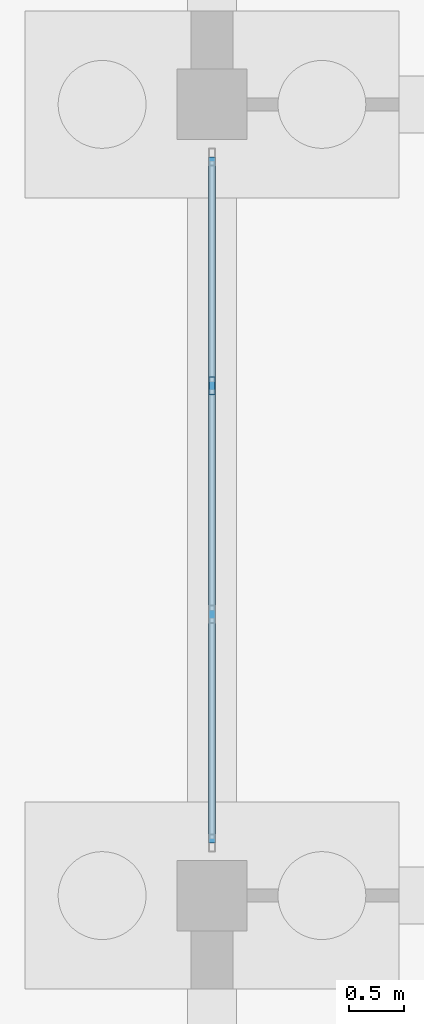
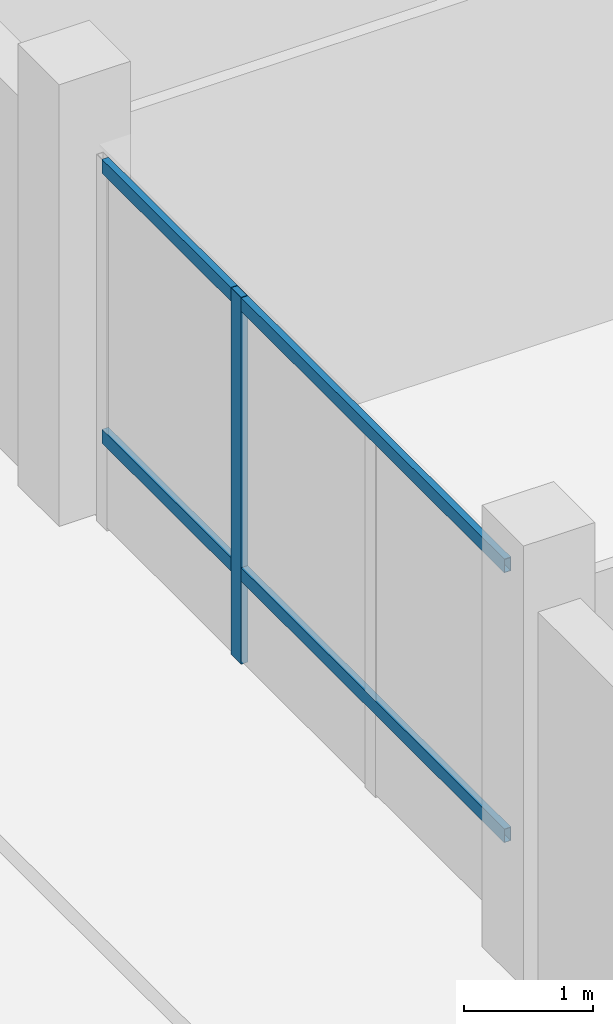
# One storey, part 55 of 98: 3 members, 1 element without a shape of its own.
"""IFC4 building model written with IfcOpenShell, lengths in metres."""

from ifc_helpers import new_model, si_unit, direction, frame, origin, origin_2d, place, context, subcontext, project, spatial, hollow_rectangle, extrude, material, material_profile, profile_set, type_object, element, aggregate, save


model = new_model("IFC4")

# Units and contexts
model_context = context("Model", 3, precision=1e-05, world=origin(), true_north=direction((0.0, 1.0)))
body_context = subcontext(model_context, "Body", "Model", "MODEL_VIEW")
ifc_project = project(units=[si_unit("LENGTHUNIT", "METRE"), si_unit("AREAUNIT", "SQUARE_METRE"), si_unit("VOLUMEUNIT", "CUBIC_METRE"), si_unit("PLANEANGLEUNIT", "RADIAN"), si_unit("MASSUNIT", "GRAM", prefix="KILO")], contexts=[model_context])

# Site, building, storey
site_placement = place(None, origin())
site = spatial("IfcSite", under=ifc_project, at=site_placement, CompositionType="ELEMENT")
building_placement = place(site_placement, origin())
building = spatial("IfcBuilding", under=site, at=building_placement, Name="Zornivar Specialist Clinic", CompositionType="ELEMENT")
storey_placement = place(building_placement, origin())
storey = spatial("IfcBuildingStorey", under=building, at=storey_placement, Name="L00", CompositionType="ELEMENT", Elevation=0.0)

# Curtain wall, members
ifc_material_1 = material(Name="Aluminium and Low-E Glass Curtain Wall", Category="aluminium")
curtain_wall_type = type_object("IfcCurtainWallType", Name="CW-LAB-NORTH", PredefinedType="NOTDEFINED", material=ifc_material_1)
curtain_wall_placement = place(storey_placement, origin())
curtain_wall = element("IfcCurtainWall", 1, at=curtain_wall_placement, inside=storey, type_object=curtain_wall_type, Name="cw:V6:L00:18", PredefinedType="NOTDEFINED")
ifc_material_2 = material(Name="Aluminium AW-6060", Category="aluminium")
ifc_material_profile_1 = material_profile(ifc_material_2, hollow_rectangle(XDim=0.06005859375, YDim=0.159912109375, WallThickness=0.00390625, at=origin_2d()), Name="ALU 60x160x4")
ifc_profile_set_1 = profile_set([ifc_material_profile_1], Name="Aluminium AW-6060")
member_type_1 = type_object("IfcMemberType", Name="CWM-MUL-160", PredefinedType="MULLION", material=ifc_profile_set_1)
member_1_placement = place(storey_placement, frame((136.800048828125, 91.0400390625, 0.0), z_axis=(0.0, 0.0, 1.0), x_axis=(1.0, 0.0, 0.0)))
member_1 = element("IfcMember", 2, at=member_1_placement, type_object=member_type_1, Name="cw:V6:L00:18:mul:1", PredefinedType="MULLION", context=body_context, shape_type="SweptSolid", body=[
    extrude(hollow_rectangle(XDim=0.06005859375, YDim=0.159912109375, WallThickness=0.00390625, at=origin_2d()), origin(), (0.0, 0.0, 1.0), 3.469970703125),
])
ifc_material_3 = material(Name="Aluminium AW-6060", Category="aluminium")
ifc_material_profile_2 = material_profile(ifc_material_3, hollow_rectangle(XDim=0.06005859375, YDim=0.1298828125, WallThickness=0.00390625, at=origin_2d()), Name="ALU 60x130x4")
ifc_profile_set_2 = profile_set([ifc_material_profile_2], Name="Aluminium AW-6060")
member_type_2 = type_object("IfcMemberType", Name="CWM-TRN-130", PredefinedType="USERDEFINED", material=ifc_profile_set_2)
member_2_placement = place(storey_placement, frame((136.800048828125, 93.1201171875, 0.85009765625), z_axis=(0.0, -1.0, 0.0), x_axis=(1.0, 0.0, 0.0)))
member_2 = element("IfcMember", 3, at=member_2_placement, type_object=member_type_2, Name="cw:V6:L00:18:trn:0", ObjectType="TRANSOM", PredefinedType="USERDEFINED", context=body_context, shape_type="SweptSolid", body=[
    extrude(hollow_rectangle(XDim=0.06005859375, YDim=0.1298828125, WallThickness=0.00390625, at=origin_2d()), origin(), (0.0, 0.0, 1.0), 6.240234375),
])
member_3_placement = place(storey_placement, frame((136.800048828125, 93.1201171875, 3.405029296875), z_axis=(0.0, -1.0, 0.0), x_axis=(1.0, 0.0, 0.0)))
member_3 = element("IfcMember", 4, at=member_3_placement, type_object=member_type_2, Name="cw:V6:L00:18:trn:1", ObjectType="TRANSOM", PredefinedType="USERDEFINED", context=body_context, shape_type="SweptSolid", body=[
    extrude(hollow_rectangle(XDim=0.06005859375, YDim=0.1298828125, WallThickness=0.00390625, at=origin_2d()), origin(), (0.0, 0.0, 1.0), 6.240234375),
])
aggregate(curtain_wall, [member_1, member_2, member_3])

save(model, "model.ifc")
